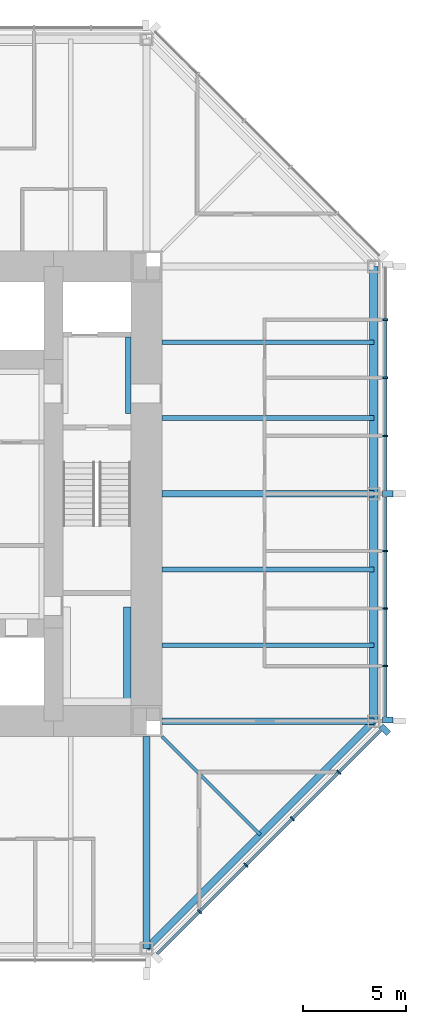
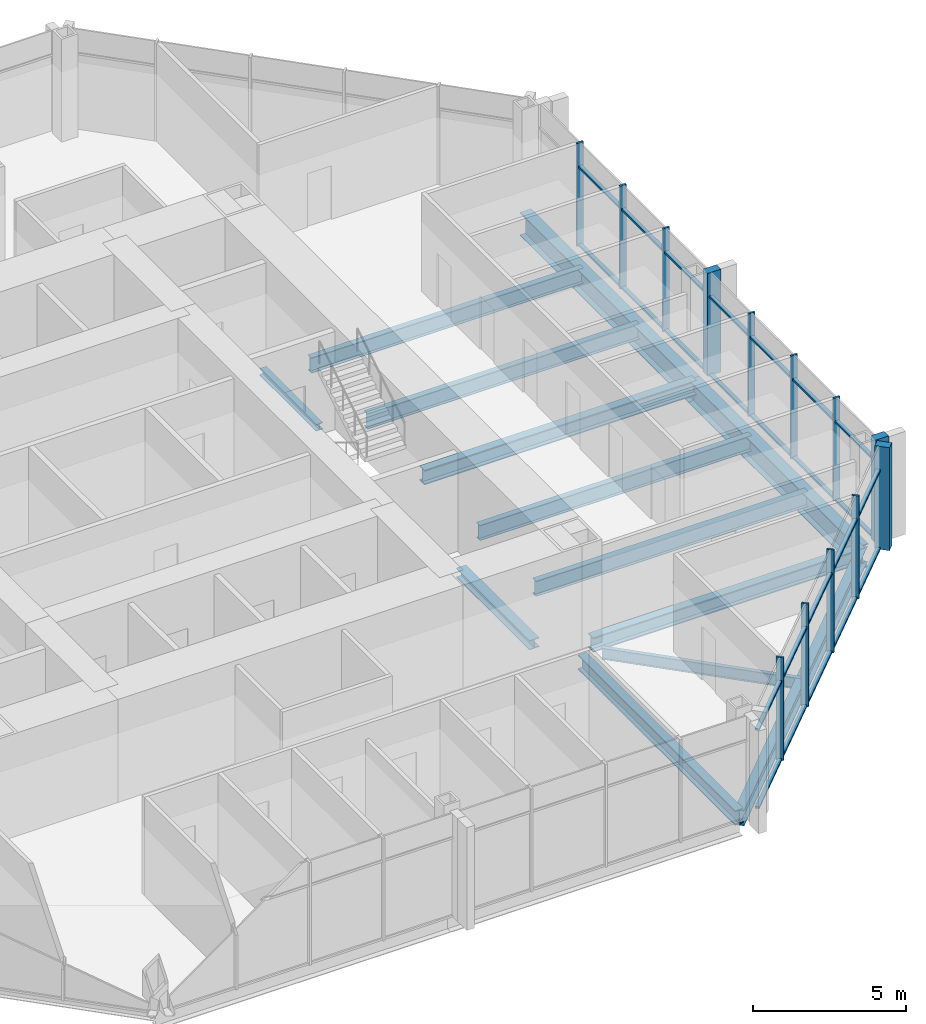
# One storey, part 4 of 12: 37 members, 13 beams, 2 elements without a shape of their own.
"""IFC4 building model written with IfcOpenShell, lengths in metres."""

from ifc_helpers import new_model, si_unit, direction, frame, origin, origin_2d, place, context, subcontext, project, spatial, rectangle, i_section, extrude, material, material_profile, profile_set, type_object, element, aggregate, save


model = new_model("IFC4")

# Units and contexts
model_context = context("Model", 3, precision=1e-05, world=origin(), true_north=direction((0.0, 1.0)))
body_context = subcontext(model_context, "Body", "Model", "MODEL_VIEW")
ifc_project = project(units=[si_unit("LENGTHUNIT", "METRE"), si_unit("AREAUNIT", "SQUARE_METRE"), si_unit("VOLUMEUNIT", "CUBIC_METRE"), si_unit("PLANEANGLEUNIT", "RADIAN"), si_unit("MASSUNIT", "GRAM", prefix="KILO")], contexts=[model_context])

# Site, building, storey
site_placement = place(None, origin())
site = spatial("IfcSite", under=ifc_project, at=site_placement, CompositionType="ELEMENT")
building_placement = place(site_placement, origin())
building = spatial("IfcBuilding", under=site, at=building_placement, Name="Trevanion Tower", CompositionType="ELEMENT")
storey_placement = place(building_placement, frame((0.0, 0.0, 174.60009765625)))
storey = spatial("IfcBuildingStorey", under=building, at=storey_placement, Name="L41", CompositionType="ELEMENT", Elevation=174.60009765625)

# Beams
ifc_material_1 = material(Name="Steel ASTM A992 Grade 50", Category="steel")
ifc_material_profile_1 = material_profile(ifc_material_1, i_section(OverallWidth=0.22900390625, OverallDepth=0.612060546875, WebThickness=0.011962890625, FlangeThickness=0.01953125, at=origin_2d()), Name="W24X84")
ifc_profile_set_1 = profile_set([ifc_material_profile_1], Name="Steel ASTM A992 Grade 50")
beam_type_1 = type_object("IfcBeamType", Name="B7 W24X84", PredefinedType="BEAM", material=ifc_profile_set_1)
for number, where, z_axis, x_axis, name in (
    (1, (11.75, -7.333251953125, -0.49609375), (1.0, 0.0, 0.0), (0.0, 1.0, 0.0), "B7 L41"),
    (2, (11.75, -3.666748046875, -0.49609375), (1.0, 0.0, 0.0), (0.0, 1.0, 0.0), "B7 L41"),
    (3, (11.75, 3.666748046875, -0.49609375), (1.0, 0.0, 0.0), (0.0, 1.0, 0.0), "B7 L41"),
    (4, (11.75, 7.333251953125, -0.49609375), (1.0, 0.0, 0.0), (0.0, 1.0, 0.0), "B7 L41"),
):
    element("IfcBeam", number, at=place(storey_placement, frame(where, z_axis=z_axis, x_axis=x_axis)), inside=storey, type_object=beam_type_1, Name=name, PredefinedType="BEAM", context=body_context, shape_type="SweptSolid", body=[
        extrude(i_section(OverallWidth=0.22900390625, OverallDepth=0.612060546875, WebThickness=0.011962890625, FlangeThickness=0.01953125, at=origin_2d()), origin(), (0.0, 0.0, 1.0), 10.25),
    ])
ifc_material_2 = material(Name="Steel ASTM A992 Grade 50", Category="steel")
ifc_material_profile_2 = material_profile(ifc_material_2, i_section(OverallWidth=0.15234375, OverallDepth=0.449462890625, WebThickness=0.007568359375, FlangeThickness=0.0107421875, at=origin_2d()), Name="W18X35")
ifc_profile_set_2 = profile_set([ifc_material_profile_2], Name="Steel ASTM A992 Grade 50")
beam_type_2 = type_object("IfcBeamType", Name="B8 W18X35", PredefinedType="BEAM", material=ifc_profile_set_2)
beam_1_placement = place(storey_placement, frame((11.75, -11.75, -0.414794921875), z_axis=(0.707106781187, -0.707106781187, 0.0), x_axis=(0.707106781187, 0.707106781187, 0.0)))
element("IfcBeam", 5, at=beam_1_placement, inside=storey, type_object=beam_type_2, Name="B8 L41", PredefinedType="BEAM", context=body_context, shape_type="SweptSolid", body=[
    extrude(i_section(OverallWidth=0.15234375, OverallDepth=0.449462890625, WebThickness=0.007568359375, FlangeThickness=0.0107421875, at=origin_2d()), origin(), (0.0, 0.0, 1.0), 6.717529296875),
])

# Curtain wall, members
ifc_material_3 = material(Name="Aluminium and glass", Category="aluminium")
curtain_wall_type = type_object("IfcCurtainWallType", Name="CW2 curtain wall", PredefinedType="USERDEFINED", material=ifc_material_3)
curtain_wall_1_placement = place(storey_placement, origin())
curtain_wall_1 = element("IfcCurtainWall", 6, at=curtain_wall_1_placement, inside=storey, type_object=curtain_wall_type, Name="CW2 L41 0", ObjectType="UNITISED CURTAIN WALL", PredefinedType="USERDEFINED")
ifc_material_4 = material(Name="Aluminium extrusion, anodised bronze", Category="aluminium")
ifc_material_profile_3 = material_profile(ifc_material_4, rectangle(XDim=0.074951171875, YDim=0.25, at=origin_2d()), Name="CW2 mullion")
ifc_profile_set_3 = profile_set([ifc_material_profile_3], Name="Aluminium extrusion, anodised bronze")
member_type_1 = type_object("IfcMemberType", Name="CW2 mullion", PredefinedType="MULLION", material=ifc_profile_set_3)
member_1_placement = place(storey_placement, frame((22.550048828125, -8.323486328125, -0.190185546875), z_axis=(0.0, 0.0, 1.0), x_axis=(0.0, 1.0, 0.0)))
member_1 = element("IfcMember", 7, at=member_1_placement, type_object=member_type_1, Name="CW2 mullion 2", PredefinedType="MULLION", context=body_context, shape_type="SweptSolid", body=[
    extrude(rectangle(XDim=0.074951171875, YDim=0.25, at=origin_2d()), origin(), (0.0, 0.0, 1.0), 4.10009765625),
])
member_2_placement = place(storey_placement, frame((22.550048828125, -5.548828125, -0.190185546875), z_axis=(0.0, 0.0, 1.0), x_axis=(0.0, 1.0, 0.0)))
member_2 = element("IfcMember", 8, at=member_2_placement, type_object=member_type_1, Name="CW2 mullion 3", PredefinedType="MULLION", context=body_context, shape_type="SweptSolid", body=[
    extrude(rectangle(XDim=0.074951171875, YDim=0.25, at=origin_2d()), origin(), (0.0, 0.0, 1.0), 4.10009765625),
])
member_3_placement = place(storey_placement, frame((22.550048828125, -2.7744140625, -0.190185546875), z_axis=(0.0, 0.0, 1.0), x_axis=(0.0, 1.0, 0.0)))
member_3 = element("IfcMember", 9, at=member_3_placement, type_object=member_type_1, Name="CW2 mullion 4", PredefinedType="MULLION", context=body_context, shape_type="SweptSolid", body=[
    extrude(rectangle(XDim=0.074951171875, YDim=0.25, at=origin_2d()), origin(), (0.0, 0.0, 1.0), 4.10009765625),
])
member_4_placement = place(storey_placement, frame((22.550048828125, 2.806884765625, -0.190185546875), z_axis=(0.0, 0.0, 1.0), x_axis=(0.0, 1.0, 0.0)))
member_4 = element("IfcMember", 10, at=member_4_placement, type_object=member_type_1, Name="CW2 mullion 6", PredefinedType="MULLION", context=body_context, shape_type="SweptSolid", body=[
    extrude(rectangle(XDim=0.074951171875, YDim=0.25, at=origin_2d()), origin(), (0.0, 0.0, 1.0), 4.10009765625),
])
member_5_placement = place(storey_placement, frame((22.550048828125, 5.614013671875, -0.190185546875), z_axis=(0.0, 0.0, 1.0), x_axis=(0.0, 1.0, 0.0)))
member_5 = element("IfcMember", 11, at=member_5_placement, type_object=member_type_1, Name="CW2 mullion 7", PredefinedType="MULLION", context=body_context, shape_type="SweptSolid", body=[
    extrude(rectangle(XDim=0.074951171875, YDim=0.25, at=origin_2d()), origin(), (0.0, 0.0, 1.0), 4.10009765625),
])
member_6_placement = place(storey_placement, frame((22.550048828125, 8.4208984375, -0.190185546875), z_axis=(0.0, 0.0, 1.0), x_axis=(0.0, 1.0, 0.0)))
member_6 = element("IfcMember", 12, at=member_6_placement, type_object=member_type_1, Name="CW2 mullion 8", PredefinedType="MULLION", context=body_context, shape_type="SweptSolid", body=[
    extrude(rectangle(XDim=0.074951171875, YDim=0.25, at=origin_2d()), origin(), (0.0, 0.0, 1.0), 4.10009765625),
])

curtain_wall_2_placement = place(storey_placement, origin())
curtain_wall_2 = element("IfcCurtainWall", 13, at=curtain_wall_2_placement, inside=storey, type_object=curtain_wall_type, Name="CW2 L41 7", ObjectType="UNITISED CURTAIN WALL", PredefinedType="USERDEFINED")
member_7_placement = place(storey_placement, frame((13.56591796875, -20.2119140625, -0.190185546875), z_axis=(0.0, 0.0, 1.0), x_axis=(0.707106781187, 0.707106781187, 0.0)))
member_7 = element("IfcMember", 14, at=member_7_placement, type_object=member_type_1, Name="CW2 mullion 2", PredefinedType="MULLION", context=body_context, shape_type="SweptSolid", body=[
    extrude(rectangle(XDim=0.074951171875, YDim=0.25, at=origin_2d()), origin(), (0.0, 0.0, 1.0), 4.10009765625),
])
member_8_placement = place(storey_placement, frame((15.811767578125, -17.966064453125, -0.190185546875), z_axis=(0.0, 0.0, 1.0), x_axis=(0.707106781187, 0.707106781187, 0.0)))
member_8 = element("IfcMember", 15, at=member_8_placement, type_object=member_type_1, Name="CW2 mullion 3", PredefinedType="MULLION", context=body_context, shape_type="SweptSolid", body=[
    extrude(rectangle(XDim=0.074951171875, YDim=0.25, at=origin_2d()), origin(), (0.0, 0.0, 1.0), 4.10009765625),
])
member_9_placement = place(storey_placement, frame((18.057861328125, -15.719970703125, -0.190185546875), z_axis=(0.0, 0.0, 1.0), x_axis=(0.707106781187, 0.707106781187, 0.0)))
member_9 = element("IfcMember", 16, at=member_9_placement, type_object=member_type_1, Name="CW2 mullion 4", PredefinedType="MULLION", context=body_context, shape_type="SweptSolid", body=[
    extrude(rectangle(XDim=0.074951171875, YDim=0.25, at=origin_2d()), origin(), (0.0, 0.0, 1.0), 4.10009765625),
])
member_10_placement = place(storey_placement, frame((20.303955078125, -13.473876953125, -0.190185546875), z_axis=(0.0, 0.0, 1.0), x_axis=(0.707106781187, 0.707106781187, 0.0)))
member_10 = element("IfcMember", 17, at=member_10_placement, type_object=member_type_1, Name="CW2 mullion 5", PredefinedType="MULLION", context=body_context, shape_type="SweptSolid", body=[
    extrude(rectangle(XDim=0.074951171875, YDim=0.25, at=origin_2d()), origin(), (0.0, 0.0, 1.0), 4.10009765625),
])

# Member
ifc_material_5 = material(Name="Aluminium extrusion, anodised bronze", Category="aluminium")
ifc_material_profile_4 = material_profile(ifc_material_5, rectangle(XDim=0.300048828125, YDim=0.5, at=origin_2d()), Name="CW2 pier mullion")
ifc_profile_set_4 = profile_set([ifc_material_profile_4], Name="Aluminium extrusion, anodised bronze")
member_type_2 = type_object("IfcMemberType", Name="CW2 pier mullion", PredefinedType="MULLION", material=ifc_profile_set_4)
member_11_placement = place(storey_placement, frame((22.675048828125, -10.94775390625, -0.190185546875), z_axis=(0.0, 0.0, 1.0), x_axis=(0.0, 1.0, 0.0)))
member_11 = element("IfcMember", 18, at=member_11_placement, type_object=member_type_2, Name="CW2 pier mullion 1", PredefinedType="MULLION", context=body_context, shape_type="SweptSolid", body=[
    extrude(rectangle(XDim=0.300048828125, YDim=0.5, at=origin_2d()), origin(), (0.0, 0.0, 1.0), 4.10009765625),
])

member_12_placement = place(storey_placement, frame((22.675048828125, 0.0, -0.190185546875), z_axis=(0.0, 0.0, 1.0), x_axis=(0.0, 1.0, 0.0)))
member_12 = element("IfcMember", 19, at=member_12_placement, type_object=member_type_2, Name="CW2 pier mullion 5", PredefinedType="MULLION", context=body_context, shape_type="SweptSolid", body=[
    extrude(rectangle(XDim=0.300048828125, YDim=0.5, at=origin_2d()), origin(), (0.0, 0.0, 1.0), 4.10009765625),
])

member_13_placement = place(storey_placement, frame((22.5322265625, -11.42236328125, -0.190185546875), z_axis=(0.0, 0.0, 1.0), x_axis=(0.707106781187, 0.707106781187, 0.0)))
member_13 = element("IfcMember", 20, at=member_13_placement, type_object=member_type_2, Name="CW2 pier mullion 6", PredefinedType="MULLION", context=body_context, shape_type="SweptSolid", body=[
    extrude(rectangle(XDim=0.300048828125, YDim=0.5, at=origin_2d()), origin(), (0.0, 0.0, 1.0), 4.10009765625),
])

ifc_material_6 = material(Name="Aluminium extrusion, anodised bronze", Category="aluminium")
ifc_material_profile_5 = material_profile(ifc_material_6, rectangle(XDim=0.14990234375, YDim=0.074951171875, at=origin_2d()), Name="CW2 transom")
ifc_profile_set_5 = profile_set([ifc_material_profile_5], Name="Aluminium extrusion, anodised bronze")
member_type_3 = type_object("IfcMemberType", Name="CW2 transom", PredefinedType="USERDEFINED", material=ifc_profile_set_5)
member_14_placement = place(storey_placement, frame((22.550048828125, -10.7978515625, -0.152587890625), z_axis=(0.0, 1.0, 0.0), x_axis=(-1.0, 0.0, 0.0)))
member_14 = element("IfcMember", 21, at=member_14_placement, type_object=member_type_3, Name="CW2 transom 1.1", ObjectType="TRANSOM", PredefinedType="USERDEFINED", context=body_context, shape_type="SweptSolid", body=[
    extrude(rectangle(XDim=0.14990234375, YDim=0.074951171875, at=origin_2d()), origin(), (0.0, 0.0, 1.0), 2.43701171875),
])

member_15_placement = place(storey_placement, frame((22.550048828125, -10.7978515625, 2.9599609375), z_axis=(0.0, 1.0, 0.0), x_axis=(-1.0, 0.0, 0.0)))
member_15 = element("IfcMember", 22, at=member_15_placement, type_object=member_type_3, Name="CW2 transom 1.2", ObjectType="TRANSOM", PredefinedType="USERDEFINED", context=body_context, shape_type="SweptSolid", body=[
    extrude(rectangle(XDim=0.14990234375, YDim=0.074951171875, at=origin_2d()), origin(), (0.0, 0.0, 1.0), 2.43701171875),
])

member_16_placement = place(storey_placement, frame((22.550048828125, -8.285888671875, -0.152587890625), z_axis=(0.0, 1.0, 0.0), x_axis=(-1.0, 0.0, 0.0)))
member_16 = element("IfcMember", 23, at=member_16_placement, type_object=member_type_3, Name="CW2 transom 2.1", ObjectType="TRANSOM", PredefinedType="USERDEFINED", context=body_context, shape_type="SweptSolid", body=[
    extrude(rectangle(XDim=0.14990234375, YDim=0.074951171875, at=origin_2d()), origin(), (0.0, 0.0, 1.0), 2.699462890625),
])

member_17_placement = place(storey_placement, frame((22.550048828125, -8.285888671875, 2.9599609375), z_axis=(0.0, 1.0, 0.0), x_axis=(-1.0, 0.0, 0.0)))
member_17 = element("IfcMember", 24, at=member_17_placement, type_object=member_type_3, Name="CW2 transom 2.2", ObjectType="TRANSOM", PredefinedType="USERDEFINED", context=body_context, shape_type="SweptSolid", body=[
    extrude(rectangle(XDim=0.14990234375, YDim=0.074951171875, at=origin_2d()), origin(), (0.0, 0.0, 1.0), 2.699462890625),
])

member_18_placement = place(storey_placement, frame((22.550048828125, -5.511474609375, -0.152587890625), z_axis=(0.0, 1.0, 0.0), x_axis=(-1.0, 0.0, 0.0)))
member_18 = element("IfcMember", 25, at=member_18_placement, type_object=member_type_3, Name="CW2 transom 3.1", ObjectType="TRANSOM", PredefinedType="USERDEFINED", context=body_context, shape_type="SweptSolid", body=[
    extrude(rectangle(XDim=0.14990234375, YDim=0.074951171875, at=origin_2d()), origin(), (0.0, 0.0, 1.0), 2.699462890625),
])

member_19_placement = place(storey_placement, frame((22.550048828125, -5.511474609375, 2.9599609375), z_axis=(0.0, 1.0, 0.0), x_axis=(-1.0, 0.0, 0.0)))
member_19 = element("IfcMember", 26, at=member_19_placement, type_object=member_type_3, Name="CW2 transom 3.2", ObjectType="TRANSOM", PredefinedType="USERDEFINED", context=body_context, shape_type="SweptSolid", body=[
    extrude(rectangle(XDim=0.14990234375, YDim=0.074951171875, at=origin_2d()), origin(), (0.0, 0.0, 1.0), 2.699462890625),
])

member_20_placement = place(storey_placement, frame((22.550048828125, -2.737060546875, -0.152587890625), z_axis=(0.0, 1.0, 0.0), x_axis=(-1.0, 0.0, 0.0)))
member_20 = element("IfcMember", 27, at=member_20_placement, type_object=member_type_3, Name="CW2 transom 4.1", ObjectType="TRANSOM", PredefinedType="USERDEFINED", context=body_context, shape_type="SweptSolid", body=[
    extrude(rectangle(XDim=0.14990234375, YDim=0.074951171875, at=origin_2d()), origin(), (0.0, 0.0, 1.0), 2.587158203125),
])

member_21_placement = place(storey_placement, frame((22.550048828125, -2.737060546875, 2.9599609375), z_axis=(0.0, 1.0, 0.0), x_axis=(-1.0, 0.0, 0.0)))
member_21 = element("IfcMember", 28, at=member_21_placement, type_object=member_type_3, Name="CW2 transom 4.2", ObjectType="TRANSOM", PredefinedType="USERDEFINED", context=body_context, shape_type="SweptSolid", body=[
    extrude(rectangle(XDim=0.14990234375, YDim=0.074951171875, at=origin_2d()), origin(), (0.0, 0.0, 1.0), 2.587158203125),
])

member_22_placement = place(storey_placement, frame((22.550048828125, 0.14990234375, -0.152587890625), z_axis=(0.0, 1.0, 0.0), x_axis=(-1.0, 0.0, 0.0)))
member_22 = element("IfcMember", 29, at=member_22_placement, type_object=member_type_3, Name="CW2 transom 5.1", ObjectType="TRANSOM", PredefinedType="USERDEFINED", context=body_context, shape_type="SweptSolid", body=[
    extrude(rectangle(XDim=0.14990234375, YDim=0.074951171875, at=origin_2d()), origin(), (0.0, 0.0, 1.0), 2.619384765625),
])

member_23_placement = place(storey_placement, frame((22.550048828125, 0.14990234375, 2.9599609375), z_axis=(0.0, 1.0, 0.0), x_axis=(-1.0, 0.0, 0.0)))
member_23 = element("IfcMember", 30, at=member_23_placement, type_object=member_type_3, Name="CW2 transom 5.2", ObjectType="TRANSOM", PredefinedType="USERDEFINED", context=body_context, shape_type="SweptSolid", body=[
    extrude(rectangle(XDim=0.14990234375, YDim=0.074951171875, at=origin_2d()), origin(), (0.0, 0.0, 1.0), 2.619384765625),
])

member_24_placement = place(storey_placement, frame((22.550048828125, 2.844482421875, -0.152587890625), z_axis=(0.0, 1.0, 0.0), x_axis=(-1.0, 0.0, 0.0)))
member_24 = element("IfcMember", 31, at=member_24_placement, type_object=member_type_3, Name="CW2 transom 6.1", ObjectType="TRANSOM", PredefinedType="USERDEFINED", context=body_context, shape_type="SweptSolid", body=[
    extrude(rectangle(XDim=0.14990234375, YDim=0.074951171875, at=origin_2d()), origin(), (0.0, 0.0, 1.0), 2.73193359375),
])

member_25_placement = place(storey_placement, frame((22.550048828125, 2.844482421875, 2.9599609375), z_axis=(0.0, 1.0, 0.0), x_axis=(-1.0, 0.0, 0.0)))
member_25 = element("IfcMember", 32, at=member_25_placement, type_object=member_type_3, Name="CW2 transom 6.2", ObjectType="TRANSOM", PredefinedType="USERDEFINED", context=body_context, shape_type="SweptSolid", body=[
    extrude(rectangle(XDim=0.14990234375, YDim=0.074951171875, at=origin_2d()), origin(), (0.0, 0.0, 1.0), 2.73193359375),
])

member_26_placement = place(storey_placement, frame((22.550048828125, 5.6513671875, -0.152587890625), z_axis=(0.0, 1.0, 0.0), x_axis=(-1.0, 0.0, 0.0)))
member_26 = element("IfcMember", 33, at=member_26_placement, type_object=member_type_3, Name="CW2 transom 7.1", ObjectType="TRANSOM", PredefinedType="USERDEFINED", context=body_context, shape_type="SweptSolid", body=[
    extrude(rectangle(XDim=0.14990234375, YDim=0.074951171875, at=origin_2d()), origin(), (0.0, 0.0, 1.0), 2.73193359375),
])

member_27_placement = place(storey_placement, frame((22.550048828125, 5.6513671875, 2.9599609375), z_axis=(0.0, 1.0, 0.0), x_axis=(-1.0, 0.0, 0.0)))
member_27 = element("IfcMember", 34, at=member_27_placement, type_object=member_type_3, Name="CW2 transom 7.2", ObjectType="TRANSOM", PredefinedType="USERDEFINED", context=body_context, shape_type="SweptSolid", body=[
    extrude(rectangle(XDim=0.14990234375, YDim=0.074951171875, at=origin_2d()), origin(), (0.0, 0.0, 1.0), 2.73193359375),
])

aggregate(curtain_wall_1, [member_11, member_1, member_2, member_3, member_12, member_4, member_5, member_6, member_14, member_15, member_16, member_17, member_18, member_19, member_20, member_21, member_22, member_23, member_24, member_25, member_26, member_27])

member_28_placement = place(storey_placement, frame((11.531982421875, -22.245849609375, -0.152587890625), z_axis=(0.707106781187, 0.707106781187, 0.0), x_axis=(-0.707106781187, 0.707106781187, 0.0)))
member_28 = element("IfcMember", 35, at=member_28_placement, type_object=member_type_3, Name="CW2 transom 1.1", ObjectType="TRANSOM", PredefinedType="USERDEFINED", context=body_context, shape_type="SweptSolid", body=[
    extrude(rectangle(XDim=0.14990234375, YDim=0.074951171875, at=origin_2d()), origin(), (0.0, 0.0, 1.0), 2.8388671875),
])

member_29_placement = place(storey_placement, frame((11.531982421875, -22.245849609375, 2.9599609375), z_axis=(0.707106781187, 0.707106781187, 0.0), x_axis=(-0.707106781187, 0.707106781187, 0.0)))
member_29 = element("IfcMember", 36, at=member_29_placement, type_object=member_type_3, Name="CW2 transom 1.2", ObjectType="TRANSOM", PredefinedType="USERDEFINED", context=body_context, shape_type="SweptSolid", body=[
    extrude(rectangle(XDim=0.14990234375, YDim=0.074951171875, at=origin_2d()), origin(), (0.0, 0.0, 1.0), 2.8388671875),
])

member_30_placement = place(storey_placement, frame((13.59228515625, -20.185546875, -0.152587890625), z_axis=(0.707106781187, 0.707106781187, 0.0), x_axis=(-0.707106781187, 0.707106781187, 0.0)))
member_30 = element("IfcMember", 37, at=member_30_placement, type_object=member_type_3, Name="CW2 transom 2.1", ObjectType="TRANSOM", PredefinedType="USERDEFINED", context=body_context, shape_type="SweptSolid", body=[
    extrude(rectangle(XDim=0.14990234375, YDim=0.074951171875, at=origin_2d()), origin(), (0.0, 0.0, 1.0), 3.1015625),
])

member_31_placement = place(storey_placement, frame((13.59228515625, -20.185546875, 2.9599609375), z_axis=(0.707106781187, 0.707106781187, 0.0), x_axis=(-0.707106781187, 0.707106781187, 0.0)))
member_31 = element("IfcMember", 38, at=member_31_placement, type_object=member_type_3, Name="CW2 transom 2.2", ObjectType="TRANSOM", PredefinedType="USERDEFINED", context=body_context, shape_type="SweptSolid", body=[
    extrude(rectangle(XDim=0.14990234375, YDim=0.074951171875, at=origin_2d()), origin(), (0.0, 0.0, 1.0), 3.1015625),
])

member_32_placement = place(storey_placement, frame((15.83837890625, -17.939453125, -0.152587890625), z_axis=(0.707106781187, 0.707106781187, 0.0), x_axis=(-0.707106781187, 0.707106781187, 0.0)))
member_32 = element("IfcMember", 39, at=member_32_placement, type_object=member_type_3, Name="CW2 transom 3.1", ObjectType="TRANSOM", PredefinedType="USERDEFINED", context=body_context, shape_type="SweptSolid", body=[
    extrude(rectangle(XDim=0.14990234375, YDim=0.074951171875, at=origin_2d()), origin(), (0.0, 0.0, 1.0), 3.1015625),
])

member_33_placement = place(storey_placement, frame((15.83837890625, -17.939453125, 2.9599609375), z_axis=(0.707106781187, 0.707106781187, 0.0), x_axis=(-0.707106781187, 0.707106781187, 0.0)))
member_33 = element("IfcMember", 40, at=member_33_placement, type_object=member_type_3, Name="CW2 transom 3.2", ObjectType="TRANSOM", PredefinedType="USERDEFINED", context=body_context, shape_type="SweptSolid", body=[
    extrude(rectangle(XDim=0.14990234375, YDim=0.074951171875, at=origin_2d()), origin(), (0.0, 0.0, 1.0), 3.1015625),
])

member_34_placement = place(storey_placement, frame((18.08447265625, -15.693359375, -0.152587890625), z_axis=(0.707106781187, 0.707106781187, 0.0), x_axis=(-0.707106781187, 0.707106781187, 0.0)))
member_34 = element("IfcMember", 41, at=member_34_placement, type_object=member_type_3, Name="CW2 transom 4.1", ObjectType="TRANSOM", PredefinedType="USERDEFINED", context=body_context, shape_type="SweptSolid", body=[
    extrude(rectangle(XDim=0.14990234375, YDim=0.074951171875, at=origin_2d()), origin(), (0.0, 0.0, 1.0), 3.10107421875),
])

member_35_placement = place(storey_placement, frame((18.08447265625, -15.693359375, 2.9599609375), z_axis=(0.707106781187, 0.707106781187, 0.0), x_axis=(-0.707106781187, 0.707106781187, 0.0)))
member_35 = element("IfcMember", 42, at=member_35_placement, type_object=member_type_3, Name="CW2 transom 4.2", ObjectType="TRANSOM", PredefinedType="USERDEFINED", context=body_context, shape_type="SweptSolid", body=[
    extrude(rectangle(XDim=0.14990234375, YDim=0.074951171875, at=origin_2d()), origin(), (0.0, 0.0, 1.0), 3.10107421875),
])

member_36_placement = place(storey_placement, frame((20.33056640625, -13.447509765625, -0.152587890625), z_axis=(0.707063781595, 0.707149778163, 0.0), x_axis=(-0.707149778163, 0.707063781595, 0.0)))
member_36 = element("IfcMember", 43, at=member_36_placement, type_object=member_type_3, Name="CW2 transom 5.1", ObjectType="TRANSOM", PredefinedType="USERDEFINED", context=body_context, shape_type="SweptSolid", body=[
    extrude(rectangle(XDim=0.14990234375, YDim=0.074951171875, at=origin_2d()), origin(), (0.0, 0.0, 1.0), 2.8388671875),
])

member_37_placement = place(storey_placement, frame((20.33056640625, -13.447509765625, 2.9599609375), z_axis=(0.707063781595, 0.707149778163, 0.0), x_axis=(-0.707149778163, 0.707063781595, 0.0)))
member_37 = element("IfcMember", 44, at=member_37_placement, type_object=member_type_3, Name="CW2 transom 5.2", ObjectType="TRANSOM", PredefinedType="USERDEFINED", context=body_context, shape_type="SweptSolid", body=[
    extrude(rectangle(XDim=0.14990234375, YDim=0.074951171875, at=origin_2d()), origin(), (0.0, 0.0, 1.0), 2.8388671875),
])

aggregate(curtain_wall_2, [member_7, member_8, member_9, member_10, member_13, member_28, member_29, member_30, member_31, member_32, member_33, member_34, member_35, member_36, member_37])

# Beams
ifc_material_7 = material(Name="Steel ASTM A992 Grade 50", Category="steel")
ifc_material_profile_6 = material_profile(ifc_material_7, i_section(OverallWidth=0.320068359375, OverallDepth=0.584228515625, WebThickness=0.023193359375, FlangeThickness=0.04150390625, at=origin_2d()), Name="W21X201")
ifc_profile_set_6 = profile_set([ifc_material_profile_6], Name="Steel ASTM A992 Grade 50")
beam_type_3 = type_object("IfcBeamType", Name="G4 W21X201", PredefinedType="BEAM", material=ifc_profile_set_6)
for number, where, z_axis, x_axis, name in (
    (45, (11.75, -11.0, -0.482177734375), (1.0, 0.0, 0.0), (0.0, 1.0, 0.0), "G4 L41"),
    (46, (11.75, 0.0, -0.482177734375), (1.0, 0.0, 0.0), (0.0, 1.0, 0.0), "G4 L41"),
    (47, (11.0, -11.75, -0.482177734375), (0.0, -1.0, 0.0), (1.0, 0.0, 0.0), "G4 L41"),
):
    element("IfcBeam", number, at=place(storey_placement, frame(where, z_axis=z_axis, x_axis=x_axis)), inside=storey, type_object=beam_type_3, Name=name, PredefinedType="BEAM", context=body_context, shape_type="SweptSolid", body=[
        extrude(i_section(OverallWidth=0.320068359375, OverallDepth=0.584228515625, WebThickness=0.023193359375, FlangeThickness=0.04150390625, at=origin_2d()), origin(), (0.0, 0.0, 1.0), 10.25),
    ])
ifc_material_8 = material(Name="Steel ASTM A992 Grade 50", Category="steel")
ifc_material_profile_7 = material_profile(ifc_material_8, i_section(OverallWidth=0.256591796875, OverallDepth=0.26416015625, WebThickness=0.011962890625, FlangeThickness=0.01953125, at=origin_2d()), Name="W10X68")
ifc_profile_set_7 = profile_set([ifc_material_profile_7], Name="Steel ASTM A992 Grade 50")
beam_type_4 = type_object("IfcBeamType", Name="LB1 W10X68", PredefinedType="BEAM", material=ifc_profile_set_7)
beam_2_placement = place(storey_placement, frame((10.12158203125, 3.875, -0.332275390625), z_axis=(0.0, 1.0, 0.0), x_axis=(-1.0, 0.0, 0.0)))
element("IfcBeam", 48, at=beam_2_placement, inside=storey, type_object=beam_type_4, Name="LB1 L41", PredefinedType="BEAM", context=body_context, shape_type="SweptSolid", body=[
    extrude(i_section(OverallWidth=0.256591796875, OverallDepth=0.26416015625, WebThickness=0.011962890625, FlangeThickness=0.01953125, at=origin_2d()), origin(), (0.0, 0.0, 1.0), 3.699951171875),
])
ifc_material_9 = material(Name="Steel ASTM A992 Grade 50", Category="steel")
ifc_material_profile_8 = material_profile(ifc_material_9, i_section(OverallWidth=0.373291015625, OverallDepth=0.373291015625, WebThickness=0.016357421875, FlangeThickness=0.026123046875, at=origin_2d()), Name="W14X132")
ifc_profile_set_8 = profile_set([ifc_material_profile_8], Name="Steel ASTM A992 Grade 50")
beam_type_5 = type_object("IfcBeamType", Name="LB2 W14X132", PredefinedType="BEAM", material=ifc_profile_set_8)
beam_3_placement = place(storey_placement, frame((10.063232421875, -10.25, -0.38671875), z_axis=(0.0, 1.0, 0.0), x_axis=(-1.0, 0.0, 0.0)))
element("IfcBeam", 49, at=beam_3_placement, inside=storey, type_object=beam_type_5, Name="LB2 L41", PredefinedType="BEAM", context=body_context, shape_type="SweptSolid", body=[
    extrude(i_section(OverallWidth=0.373291015625, OverallDepth=0.373291015625, WebThickness=0.016357421875, FlangeThickness=0.026123046875, at=origin_2d()), origin(), (0.0, 0.0, 1.0), 4.77490234375),
])
ifc_material_10 = material(Name="Steel ASTM A992 Grade 50", Category="steel")
ifc_material_profile_9 = material_profile(ifc_material_10, i_section(OverallWidth=0.419189453125, OverallDepth=0.927001953125, WebThickness=0.019287109375, FlangeThickness=0.031982421875, at=origin_2d()), Name="W36X231")
ifc_profile_set_9 = profile_set([ifc_material_profile_9], Name="Steel ASTM A992 Grade 50")
beam_type_6 = type_object("IfcBeamType", Name="SB4 W36X231", PredefinedType="SPANDREL", material=ifc_profile_set_9)
for number, where, z_axis, x_axis, name in (
    (50, (22.0, -11.0, -0.65380859375), (0.0, 1.0, 0.0), (-1.0, 0.0, 0.0), "SB4 L41"),
    (51, (22.0, 0.0, -0.65380859375), (0.0, 1.0, 0.0), (-1.0, 0.0, 0.0), "SB4 L41"),
):
    element("IfcBeam", number, at=place(storey_placement, frame(where, z_axis=z_axis, x_axis=x_axis)), inside=storey, type_object=beam_type_6, Name=name, PredefinedType="SPANDREL", context=body_context, shape_type="SweptSolid", body=[
        extrude(i_section(OverallWidth=0.419189453125, OverallDepth=0.927001953125, WebThickness=0.019287109375, FlangeThickness=0.031982421875, at=origin_2d()), origin(), (0.0, 0.0, 1.0), 11.0),
    ])
ifc_material_11 = material(Name="Steel ASTM A992 Grade 50", Category="steel")
ifc_material_profile_10 = material_profile(ifc_material_11, i_section(OverallWidth=0.32763671875, OverallDepth=0.62744140625, WebThickness=0.0166015625, FlangeThickness=0.027587890625, at=origin_2d()), Name="W24X146")
ifc_profile_set_10 = profile_set([ifc_material_profile_10], Name="Steel ASTM A992 Grade 50")
beam_type_7 = type_object("IfcBeamType", Name="SB5 W24X146", PredefinedType="SPANDREL", material=ifc_profile_set_10)
beam_4_placement = place(storey_placement, frame((11.0, -22.0, -0.50390625), z_axis=(0.707106781187, 0.707106781187, 0.0), x_axis=(-0.707106781187, 0.707106781187, 0.0)))
element("IfcBeam", 52, at=beam_4_placement, inside=storey, type_object=beam_type_7, Name="SB5 L41", PredefinedType="SPANDREL", context=body_context, shape_type="SweptSolid", body=[
    extrude(i_section(OverallWidth=0.32763671875, OverallDepth=0.62744140625, WebThickness=0.0166015625, FlangeThickness=0.027587890625, at=origin_2d()), origin(), (0.0, 0.0, 1.0), 15.556396484375),
])

save(model, "model.ifc")
